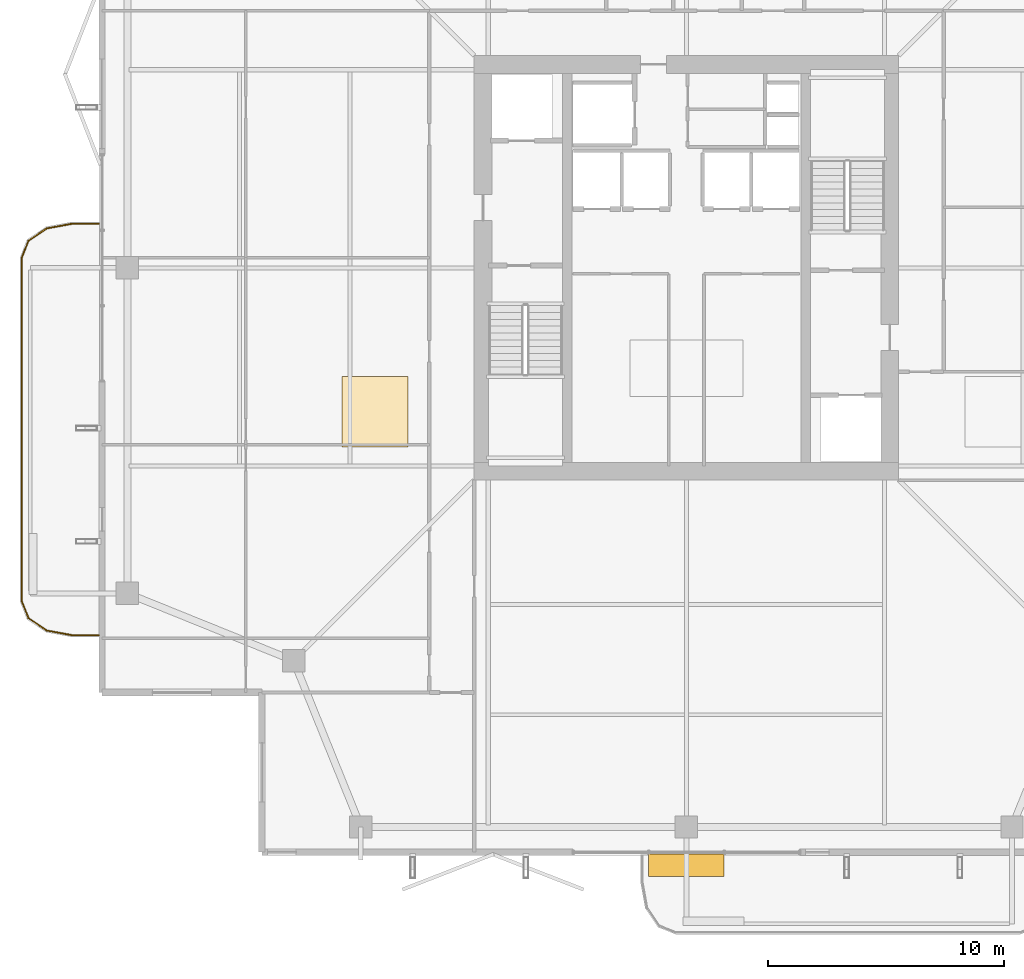
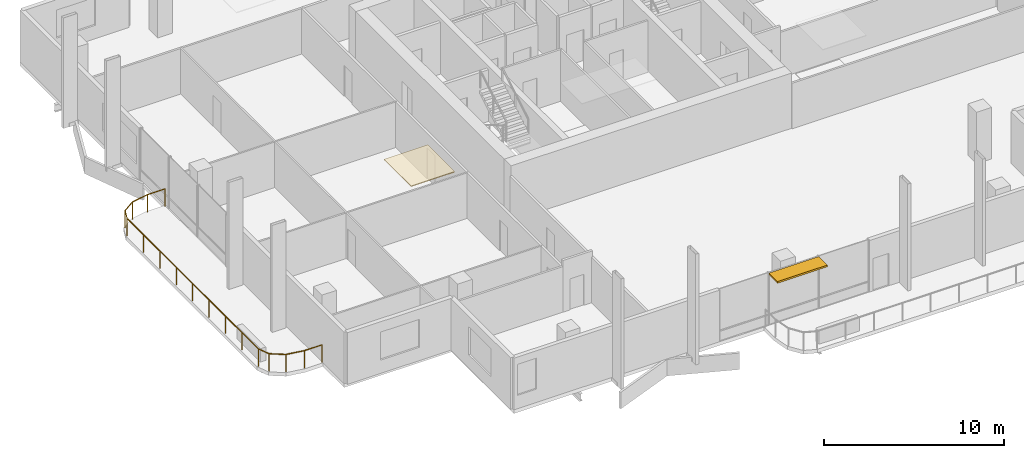
# One storey, part 22 of 25: 1 covering, 1 railing, 1 shading device.
"""IFC4 building model written with IfcOpenShell, lengths in metres."""

from ifc_helpers import new_model, si_unit, direction, frame, origin, origin_2d, place, context, subcontext, project, spatial, polyline, rectangle, outline, extrude, material, layer, layer_set, type_object, element, save


model = new_model("IFC4")

# Units and contexts
model_context = context("Model", 3, precision=1e-05, world=origin(), true_north=direction((0.0, 1.0)))
body_context = subcontext(model_context, "Body", "Model", "MODEL_VIEW")
ifc_project = project(units=[si_unit("LENGTHUNIT", "METRE"), si_unit("AREAUNIT", "SQUARE_METRE"), si_unit("VOLUMEUNIT", "CUBIC_METRE"), si_unit("PLANEANGLEUNIT", "RADIAN"), si_unit("MASSUNIT", "GRAM", prefix="KILO")], contexts=[model_context])

# Site, building, storey
site_placement = place(None, origin())
site = spatial("IfcSite", under=ifc_project, at=site_placement, CompositionType="ELEMENT")
building_placement = place(site_placement, origin())
building = spatial("IfcBuilding", under=site, at=building_placement, Name="Belovzor Exchange Tower", CompositionType="ELEMENT")
storey_placement = place(building_placement, frame((0.0, 0.0, 257.85009765625)))
storey = spatial("IfcBuildingStorey", under=building, at=storey_placement, Name="L64", CompositionType="ELEMENT", Elevation=257.85009765625)

# Railing
ifc_material_1 = material(Name="Stainless Steel and Laminated Safety Glass", Category="steel")
railing_type = type_object("IfcRailingType", Name="Laminated Glass & Stainless Steel Balcony Balustrade 1200", PredefinedType="BALUSTRADE", material=ifc_material_1)
railing_placement = place(storey_placement, frame((3.889892578125, 30.669921875, 0.0)))
element("IfcRailing", 1, at=railing_placement, inside=storey, type_object=railing_type, Name="GR-1 Balcony Balustrade L64 West", PredefinedType="BALUSTRADE", context=body_context, shape_type="SweptSolid", body=[
    extrude(rectangle(XDim=0.048095703125, YDim=0.048095703125, at=origin_2d()), frame((0.0, 0.0, 1.17578125), z_axis=(-1.0, 0.0, 0.0), x_axis=(0.0, -1.0, 0.0)), (0.0, 0.0, 1.0), 1.1328125),
    extrude(rectangle(XDim=0.048095703125, YDim=0.048095703125, at=origin_2d()), frame((-1.1328125, 0.0, 1.17578125), z_axis=(-0.983651385113, -0.180083182347, 0.0), x_axis=(0.180083182347, -0.983651385113, 0.0)), (0.0, 0.0, 1.0), 1.093994140625),
    extrude(rectangle(XDim=0.048095703125, YDim=0.048095703125, at=origin_2d()), frame((-2.208984375, -0.197021484375, 1.17578125), z_axis=(-0.826614792125, -0.562768145367, 0.0), x_axis=(0.562768145367, -0.826614792125, 0.0)), (0.0, 0.0, 1.0), 0.9326171875),
    extrude(rectangle(XDim=0.048095703125, YDim=0.048095703125, at=origin_2d()), frame((-2.97998046875, -0.721923828125, 1.17578125), z_axis=(-0.365612923861, -0.930766990125, 0.0), x_axis=(0.930766990125, -0.365612923861, 0.0)), (0.0, 0.0, 1.0), 0.765869140625),
    extrude(rectangle(XDim=0.048095703125, YDim=0.048095703125, at=origin_2d()), frame((-3.260009765625, -1.434814453125, 1.17578125), z_axis=(0.0, -1.0, 0.0), x_axis=(1.0, 0.0, 0.0)), (0.0, 0.0, 1.0), 14.570068359375),
    extrude(rectangle(XDim=0.048095703125, YDim=0.048095703125, at=origin_2d()), frame((-3.260009765625, -16.0048828125, 1.17578125), z_axis=(0.365504480807, -0.930809580156, 0.0), x_axis=(0.930809580156, 0.365504480807, 0.0)), (0.0, 0.0, 1.0), 0.76611328125),
    extrude(rectangle(XDim=0.048095703125, YDim=0.048095703125, at=origin_2d()), frame((-2.97998046875, -16.718017578125, 1.17578125), z_axis=(0.826614792125, -0.562768145367, 0.0), x_axis=(0.562768145367, 0.826614792125, 0.0)), (0.0, 0.0, 1.0), 0.9326171875),
    extrude(rectangle(XDim=0.048095703125, YDim=0.048095703125, at=origin_2d()), frame((-2.208984375, -17.242919921875, 1.17578125), z_axis=(0.983651385113, -0.180083182347, 0.0), x_axis=(0.180083182347, 0.983651385113, 0.0)), (0.0, 0.0, 1.0), 1.093994140625),
    extrude(rectangle(XDim=0.048095703125, YDim=0.048095703125, at=origin_2d()), frame((-1.1328125, -17.43994140625, 1.17578125), z_axis=(1.0, 0.0, 0.0), x_axis=(0.0, 1.0, 0.0)), (0.0, 0.0, 1.0), 1.1328125),
    extrude(rectangle(XDim=0.0419921875, YDim=0.0419921875, at=origin_2d()), origin(), (0.0, 0.0, 1.0), 1.15185546875),
    extrude(rectangle(XDim=0.0419921875, YDim=0.0419921875, at=origin_2d()), frame((-1.1328125, 0.0, 0.0)), (0.0, 0.0, 1.0), 1.15185546875),
    extrude(rectangle(XDim=0.0419921875, YDim=0.0419921875, at=origin_2d()), frame((-2.208984375, -0.197021484375, 0.0)), (0.0, 0.0, 1.0), 1.15185546875),
    extrude(rectangle(XDim=0.0419921875, YDim=0.0419921875, at=origin_2d()), frame((-2.97998046875, -0.721923828125, 0.0)), (0.0, 0.0, 1.0), 1.15185546875),
    extrude(rectangle(XDim=0.0419921875, YDim=0.0419921875, at=origin_2d()), frame((-3.260009765625, -1.434814453125, 0.0)), (0.0, 0.0, 1.0), 1.15185546875),
    extrude(rectangle(XDim=0.0419921875, YDim=0.0419921875, at=origin_2d()), frame((-3.260009765625, -3.256103515625, 0.0)), (0.0, 0.0, 1.0), 1.15185546875),
    extrude(rectangle(XDim=0.0419921875, YDim=0.0419921875, at=origin_2d()), frame((-3.260009765625, -5.077392578125, 0.0)), (0.0, 0.0, 1.0), 1.15185546875),
    extrude(rectangle(XDim=0.0419921875, YDim=0.0419921875, at=origin_2d()), frame((-3.260009765625, -6.898681640625, 0.0)), (0.0, 0.0, 1.0), 1.15185546875),
    extrude(rectangle(XDim=0.0419921875, YDim=0.0419921875, at=origin_2d()), frame((-3.260009765625, -8.7197265625, 0.0)), (0.0, 0.0, 1.0), 1.15185546875),
    extrude(rectangle(XDim=0.0419921875, YDim=0.0419921875, at=origin_2d()), frame((-3.260009765625, -10.541015625, 0.0)), (0.0, 0.0, 1.0), 1.15185546875),
    extrude(rectangle(XDim=0.0419921875, YDim=0.0419921875, at=origin_2d()), frame((-3.260009765625, -12.3623046875, 0.0)), (0.0, 0.0, 1.0), 1.15185546875),
    extrude(rectangle(XDim=0.0419921875, YDim=0.0419921875, at=origin_2d()), frame((-3.260009765625, -14.18359375, 0.0)), (0.0, 0.0, 1.0), 1.15185546875),
    extrude(rectangle(XDim=0.0419921875, YDim=0.0419921875, at=origin_2d()), frame((-3.260009765625, -16.0048828125, 0.0)), (0.0, 0.0, 1.0), 1.15185546875),
    extrude(rectangle(XDim=0.0419921875, YDim=0.0419921875, at=origin_2d()), frame((-2.97998046875, -16.718017578125, 0.0)), (0.0, 0.0, 1.0), 1.15185546875),
    extrude(rectangle(XDim=0.0419921875, YDim=0.0419921875, at=origin_2d()), frame((-2.208984375, -17.242919921875, 0.0)), (0.0, 0.0, 1.0), 1.15185546875),
    extrude(rectangle(XDim=0.0419921875, YDim=0.0419921875, at=origin_2d()), frame((-1.1328125, -17.43994140625, 0.0)), (0.0, 0.0, 1.0), 1.15185546875),
    extrude(rectangle(XDim=0.0419921875, YDim=0.0419921875, at=origin_2d()), frame((0.0, -17.43994140625, 0.0)), (0.0, 0.0, 1.0), 1.15185546875),
])

# Covering
ifc_material_2 = material(Name="Perforated Powder-Coated Aluminium", Category="aluminium")
ifc_layer_1 = layer(ifc_material_2, 0.06005859375)
ifc_layer_set_1 = layer_set([ifc_layer_1], Name="Perforated Powder-Coated Aluminium")
covering_type = type_object("IfcCoveringType", Name="Perforated Acoustic Metal Tile Suspended Ceiling 60", PredefinedType="CEILING", material=ifc_layer_set_1)
covering_placement = place(storey_placement, frame((0.0, 0.0, 3.43994140625)))
element("IfcCovering", 2, at=covering_placement, inside=storey, type_object=covering_type, Name="CLG-AC60 Suspended Ceiling CLG-L64-Z3", PredefinedType="CEILING", context=body_context, shape_type="SweptSolid", body=[
    extrude(outline(polyline([(14.199951171875, 21.199951171875), (17.0, 21.199951171875), (17.0, 24.199951171875), (14.199951171875, 24.199951171875), (14.199951171875, 21.199951171875)])), origin(), (0.0, 0.0, 1.0), 0.06005859375),
])

# Shading device
ifc_material_3 = material(Name="Extruded Architectural Terracotta", Category="masonry")
ifc_layer_2 = layer(ifc_material_3, 0.1201171875)
ifc_layer_set_2 = layer_set([ifc_layer_2], Name="Extruded Architectural Terracotta")
shading_device_type = type_object("IfcShadingDeviceType", Name="Streamline Terracotta Horizontal Sunshade Hood 950", PredefinedType="AWNING", material=ifc_layer_set_2)
shading_device_placement = place(storey_placement, frame((28.800048828125, 3.485107421875, 3.3798828125), z_axis=(0.0, 0.0, 1.0), x_axis=(1.0, 0.0, 0.0)))
element("IfcShadingDevice", 3, at=shading_device_placement, inside=storey, type_object=shading_device_type, Name="SHD-TC095 Terracotta Sunshade L64 S", PredefinedType="AWNING", context=body_context, shape_type="SweptSolid", body=[
    extrude(rectangle(XDim=3.199951171875, YDim=0.949951171875, at=origin_2d()), origin(), (0.0, 0.0, 1.0), 0.1201171875),
])

save(model, "model.ifc")
